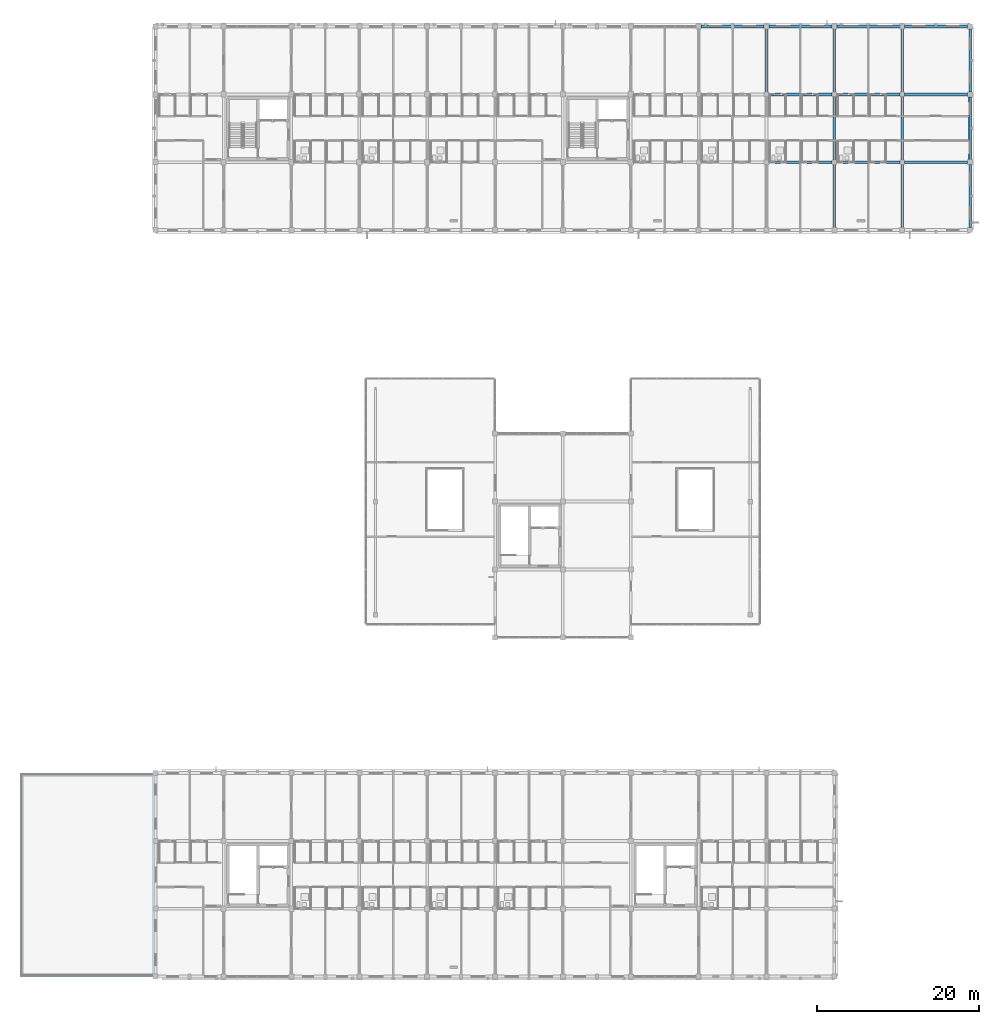
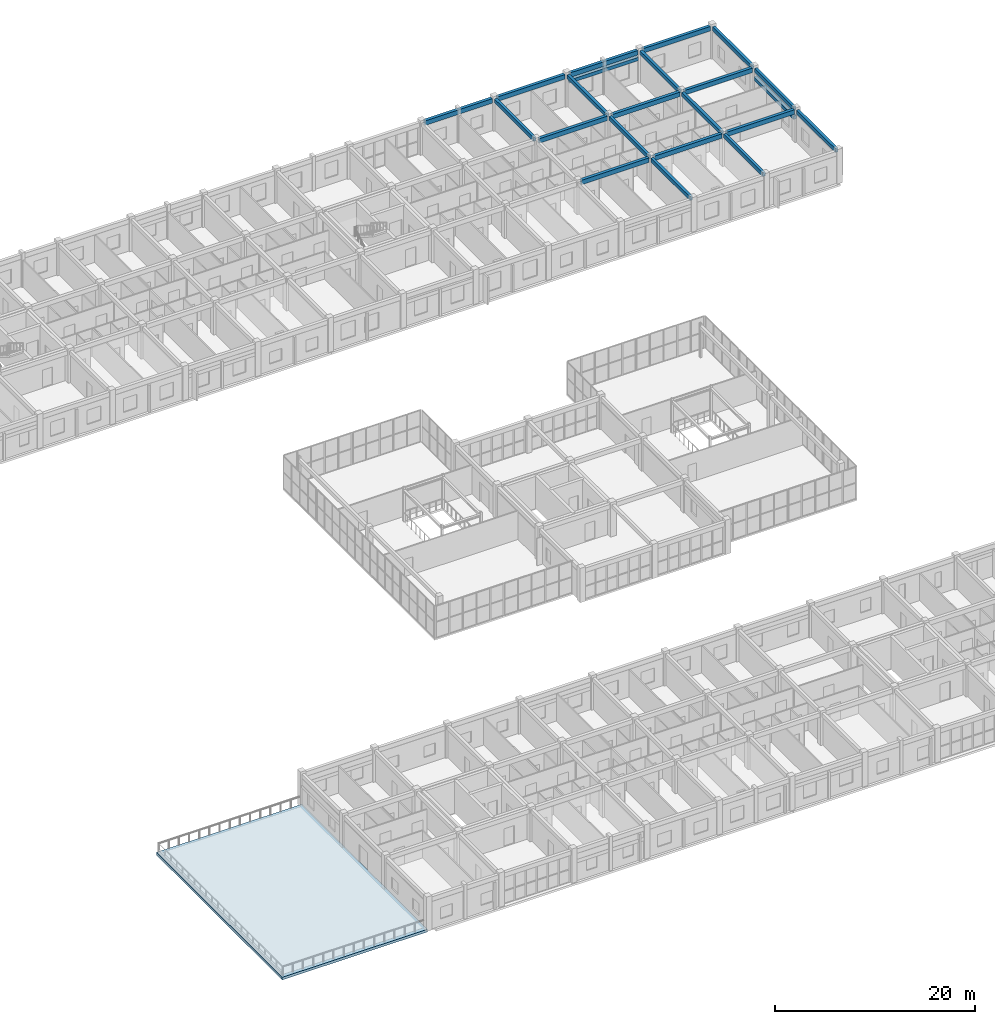
# One storey, part 51 of 81: 22 beams, 1 slab.
"""IFC4 building model written with IfcOpenShell, lengths in metres."""

from ifc_helpers import new_model, si_unit, direction, frame, origin, origin_2d, place, context, subcontext, project, spatial, polyline, rectangle, outline, extrude, material, layer, layer_set, material_profile, profile_set, type_object, element, save


model = new_model("IFC4")

# Units and contexts
model_context = context("Model", 3, precision=1e-05, world=origin(), true_north=direction((0.0, 1.0)))
body_context = subcontext(model_context, "Body", "Model", "MODEL_VIEW")
ifc_project = project(units=[si_unit("LENGTHUNIT", "METRE"), si_unit("AREAUNIT", "SQUARE_METRE"), si_unit("VOLUMEUNIT", "CUBIC_METRE"), si_unit("PLANEANGLEUNIT", "RADIAN"), si_unit("MASSUNIT", "GRAM", prefix="KILO")], contexts=[model_context])

# Site, building, storey
site_placement = place(None, origin())
site = spatial("IfcSite", under=ifc_project, at=site_placement, CompositionType="ELEMENT")
building_placement = place(site_placement, origin())
building = spatial("IfcBuilding", under=site, at=building_placement, Name="Trelvath General Hospital", CompositionType="ELEMENT")
storey_placement = place(building_placement, frame((0.0, 0.0, 24.60009765625)))
storey = spatial("IfcBuildingStorey", under=building, at=storey_placement, Name="L06", CompositionType="ELEMENT", Elevation=24.60009765625)

# Beams
ifc_material_1 = material(Name="Concrete C35/45", Category="concrete")
ifc_material_profile_1 = material_profile(ifc_material_1, rectangle(XDim=0.320068359375, YDim=0.47998046875, at=origin_2d()), Name="RCB320x480")
ifc_profile_set_1 = profile_set([ifc_material_profile_1], Name="Concrete C35/45")
beam_type_1 = type_object("IfcBeamType", Name="Beam RC320x480", PredefinedType="BEAM", material=ifc_profile_set_1)
for number, where, z_axis, x_axis, name in (
    (1, (109.199951171875, 109.485107421875, 3.679931640625), (0.0, 1.0, 0.0), (-1.0, 0.0, 0.0), "Grid Beam BY-613N"),
    (2, (117.60009765625, 92.705078125, 3.679931640625), (0.0, 1.0, 0.0), (-1.0, 0.0, 0.0), "Grid Beam BY-614L"),
):
    element("IfcBeam", number, at=place(storey_placement, frame(where, z_axis=z_axis, x_axis=x_axis)), inside=storey, type_object=beam_type_1, Name=name, PredefinedType="BEAM", context=body_context, shape_type="SweptSolid", body=[
        extrude(rectangle(XDim=0.320068359375, YDim=0.47998046875, at=origin_2d()), origin(), (0.0, 0.0, 1.0), 7.809814453125),
    ])
beam_1_placement = place(storey_placement, frame((117.60009765625, 101.0849609375, 3.679931640625), z_axis=(0.0, 1.0, 0.0), x_axis=(-1.0, 0.0, 0.0)))
element("IfcBeam", 3, at=beam_1_placement, inside=storey, type_object=beam_type_1, Name="Grid Beam BY-614M", PredefinedType="BEAM", context=body_context, shape_type="SweptSolid", body=[
    extrude(rectangle(XDim=0.320068359375, YDim=0.47998046875, at=origin_2d()), origin(), (0.0, 0.0, 1.0), 7.830078125),
])
for number, where, z_axis, x_axis, name in (
    (4, (117.60009765625, 109.485107421875, 3.679931640625), (0.0, 1.0, 0.0), (-1.0, 0.0, 0.0), "Grid Beam BY-614N"),
    (5, (126.0, 92.705078125, 3.679931640625), (0.0, 1.0, 0.0), (-1.0, 0.0, 0.0), "Grid Beam BY-615L"),
):
    element("IfcBeam", number, at=place(storey_placement, frame(where, z_axis=z_axis, x_axis=x_axis)), inside=storey, type_object=beam_type_1, Name=name, PredefinedType="BEAM", context=body_context, shape_type="SweptSolid", body=[
        extrude(rectangle(XDim=0.320068359375, YDim=0.47998046875, at=origin_2d()), origin(), (0.0, 0.0, 1.0), 7.809814453125),
    ])
beam_2_placement = place(storey_placement, frame((126.0, 101.0849609375, 3.679931640625), z_axis=(0.0, 1.0, 0.0), x_axis=(-1.0, 0.0, 0.0)))
element("IfcBeam", 6, at=beam_2_placement, inside=storey, type_object=beam_type_1, Name="Grid Beam BY-615M", PredefinedType="BEAM", context=body_context, shape_type="SweptSolid", body=[
    extrude(rectangle(XDim=0.320068359375, YDim=0.47998046875, at=origin_2d()), origin(), (0.0, 0.0, 1.0), 7.830078125),
])
beam_3_placement = place(storey_placement, frame((126.0, 109.485107421875, 3.679931640625), z_axis=(0.0, 1.0, 0.0), x_axis=(-1.0, 0.0, 0.0)))
element("IfcBeam", 7, at=beam_3_placement, inside=storey, type_object=beam_type_1, Name="Grid Beam BY-615N", PredefinedType="BEAM", context=body_context, shape_type="SweptSolid", body=[
    extrude(rectangle(XDim=0.320068359375, YDim=0.47998046875, at=origin_2d()), origin(), (0.0, 0.0, 1.0), 7.809814453125),
])
for number, where, z_axis, x_axis, name in (
    (8, (134.39990234375, 92.705078125, 3.679931640625), (0.0, 1.0, 0.0), (-1.0, 0.0, 0.0), "Grid Beam BY-616L"),
    (9, (134.39990234375, 101.10498046875, 3.679931640625), (0.0, 1.0, 0.0), (-1.0, 0.0, 0.0), "Grid Beam BY-616M"),
    (10, (134.39990234375, 109.5048828125, 3.679931640625), (0.0, 1.0, 0.0), (-1.0, 0.0, 0.0), "Grid Beam BY-616N"),
):
    element("IfcBeam", number, at=place(storey_placement, frame(where, z_axis=z_axis, x_axis=x_axis)), inside=storey, type_object=beam_type_1, Name=name, PredefinedType="BEAM", context=body_context, shape_type="SweptSolid", body=[
        extrude(rectangle(XDim=0.320068359375, YDim=0.47998046875, at=origin_2d()), origin(), (0.0, 0.0, 1.0), 7.7900390625),
    ])
ifc_material_2 = material(Name="Concrete C35/45", Category="concrete")
ifc_material_profile_2 = material_profile(ifc_material_2, rectangle(XDim=0.35009765625, YDim=0.550048828125, at=origin_2d()), Name="RCB350x550")
ifc_profile_set_2 = profile_set([ifc_material_profile_2], Name="Concrete C35/45")
beam_type_2 = type_object("IfcBeamType", Name="Beam RC350x550", PredefinedType="BEAM", material=ifc_profile_set_2)
beam_4_placement = place(storey_placement, frame((101.10498046875, 117.60009765625, 3.64501953125), z_axis=(1.0, 0.0, 0.0), x_axis=(0.0, 1.0, 0.0)))
element("IfcBeam", 11, at=beam_4_placement, inside=storey, type_object=beam_type_2, Name="Grid Beam BX-612O", PredefinedType="BEAM", context=body_context, shape_type="SweptSolid", body=[
    extrude(rectangle(XDim=0.35009765625, YDim=0.550048828125, at=origin_2d()), origin(), (0.0, 0.0, 1.0), 7.7900390625),
])
for number, where, z_axis, x_axis, name in (
    (12, (109.485107421875, 100.800048828125, 3.64501953125), (1.0, 0.0, 0.0), (0.0, 1.0, 0.0), "Grid Beam BX-613M"),
    (13, (109.485107421875, 109.199951171875, 3.64501953125), (1.0, 0.0, 0.0), (0.0, 1.0, 0.0), "Grid Beam BX-613N"),
):
    element("IfcBeam", number, at=place(storey_placement, frame(where, z_axis=z_axis, x_axis=x_axis)), inside=storey, type_object=beam_type_2, Name=name, PredefinedType="BEAM", context=body_context, shape_type="SweptSolid", body=[
        extrude(rectangle(XDim=0.35009765625, YDim=0.550048828125, at=origin_2d()), origin(), (0.0, 0.0, 1.0), 7.829833984375),
    ])
beam_5_placement = place(storey_placement, frame((109.5048828125, 117.60009765625, 3.64501953125), z_axis=(1.0, 0.0, 0.0), x_axis=(0.0, 1.0, 0.0)))
element("IfcBeam", 14, at=beam_5_placement, inside=storey, type_object=beam_type_2, Name="Grid Beam BX-613O", PredefinedType="BEAM", context=body_context, shape_type="SweptSolid", body=[
    extrude(rectangle(XDim=0.35009765625, YDim=0.550048828125, at=origin_2d()), origin(), (0.0, 0.0, 1.0), 7.7900390625),
])
for number, where, z_axis, x_axis, name in (
    (15, (117.885009765625, 100.800048828125, 3.64501953125), (1.0, 0.0, 0.0), (0.0, 1.0, 0.0), "Grid Beam BX-614M"),
    (16, (117.885009765625, 109.199951171875, 3.64501953125), (1.0, 0.0, 0.0), (0.0, 1.0, 0.0), "Grid Beam BX-614N"),
):
    element("IfcBeam", number, at=place(storey_placement, frame(where, z_axis=z_axis, x_axis=x_axis)), inside=storey, type_object=beam_type_2, Name=name, PredefinedType="BEAM", context=body_context, shape_type="SweptSolid", body=[
        extrude(rectangle(XDim=0.35009765625, YDim=0.550048828125, at=origin_2d()), origin(), (0.0, 0.0, 1.0), 7.830078125),
    ])
beam_6_placement = place(storey_placement, frame((117.905029296875, 117.60009765625, 3.64501953125), z_axis=(1.0, 0.0, 0.0), x_axis=(0.0, 1.0, 0.0)))
element("IfcBeam", 17, at=beam_6_placement, inside=storey, type_object=beam_type_2, Name="Grid Beam BX-614O", PredefinedType="BEAM", context=body_context, shape_type="SweptSolid", body=[
    extrude(rectangle(XDim=0.35009765625, YDim=0.550048828125, at=origin_2d()), origin(), (0.0, 0.0, 1.0), 7.7900390625),
])
for number, where, z_axis, x_axis, name in (
    (18, (126.284912109375, 100.800048828125, 3.64501953125), (1.0, 0.0, 0.0), (0.0, 1.0, 0.0), "Grid Beam BX-615M"),
    (19, (126.284912109375, 109.199951171875, 3.64501953125), (1.0, 0.0, 0.0), (0.0, 1.0, 0.0), "Grid Beam BX-615N"),
):
    element("IfcBeam", number, at=place(storey_placement, frame(where, z_axis=z_axis, x_axis=x_axis)), inside=storey, type_object=beam_type_2, Name=name, PredefinedType="BEAM", context=body_context, shape_type="SweptSolid", body=[
        extrude(rectangle(XDim=0.35009765625, YDim=0.550048828125, at=origin_2d()), origin(), (0.0, 0.0, 1.0), 7.81005859375),
    ])
beam_7_placement = place(storey_placement, frame((126.304931640625, 117.60009765625, 3.64501953125), z_axis=(1.0, 0.0, 0.0), x_axis=(0.0, 1.0, 0.0)))
element("IfcBeam", 20, at=beam_7_placement, inside=storey, type_object=beam_type_2, Name="Grid Beam BX-615O", PredefinedType="BEAM", context=body_context, shape_type="SweptSolid", body=[
    extrude(rectangle(XDim=0.35009765625, YDim=0.550048828125, at=origin_2d()), origin(), (0.0, 0.0, 1.0), 7.7900390625),
])
ifc_material_3 = material(Name="Precast concrete C40/50", Category="concrete")
ifc_material_profile_3 = material_profile(ifc_material_3, rectangle(XDim=0.35009765625, YDim=0.419921875, at=origin_2d()), Name="PCL350x420")
ifc_profile_set_3 = profile_set([ifc_material_profile_3], Name="Precast concrete C40/50")
beam_type_3 = type_object("IfcBeamType", Name="Lintel PC350x420", PredefinedType="LINTEL", material=ifc_profile_set_3)
beam_8_placement = place(storey_placement, frame((117.824951171875, 117.60009765625, 2.869873046875), z_axis=(1.0, 0.0, 0.0), x_axis=(0.0, 1.0, 0.0)))
element("IfcBeam", 21, at=beam_8_placement, inside=storey, type_object=beam_type_3, Name="Precast Window Brow Lintel L06-602", PredefinedType="LINTEL", context=body_context, shape_type="SweptSolid", body=[
    extrude(rectangle(XDim=0.35009765625, YDim=0.419921875, at=origin_2d()), origin(), (0.0, 0.0, 1.0), 7.949951171875),
])
beam_9_placement = place(storey_placement, frame((134.39990234375, 108.97509765625, 2.64990234375), z_axis=(0.0, -1.0, 0.0), x_axis=(1.0, 0.0, 0.0)))
element("IfcBeam", 22, at=beam_9_placement, inside=storey, type_object=beam_type_3, Name="Precast Window Brow Lintel L06-605", PredefinedType="LINTEL", context=body_context, shape_type="SweptSolid", body=[
    extrude(rectangle(XDim=0.35009765625, YDim=0.419921875, at=origin_2d()), origin(), (0.0, 0.0, 1.0), 7.9501953125),
])

# Slab
ifc_material_4 = material(Name="Concrete C35/45", Category="concrete")
ifc_layer = layer(ifc_material_4, 0.320068359375)
ifc_layer_set = layer_set([ifc_layer], Name="Concrete C35/45")
slab_type = type_object("IfcSlabType", Name="PlantedTerraceSlab 320", PredefinedType="ROOF", material=ifc_layer_set)
slab_placement = place(storey_placement, frame((0.0, 0.0, -0.320068359375)))
element("IfcSlab", 23, at=slab_placement, inside=storey, type_object=slab_type, Name="Planted Healing Terrace TERR-SW-W6 L06", PredefinedType="ROOF", context=body_context, shape_type="SweptSolid", body=[
    extrude(outline(polyline([(16.800048828125, 0.0), (33.60009765625, 0.0), (33.60009765625, 25.199951171875), (16.800048828125, 25.199951171875), (16.800048828125, 0.0)])), origin(), (0.0, 0.0, 1.0), 0.320068359375),
])

save(model, "model.ifc")
